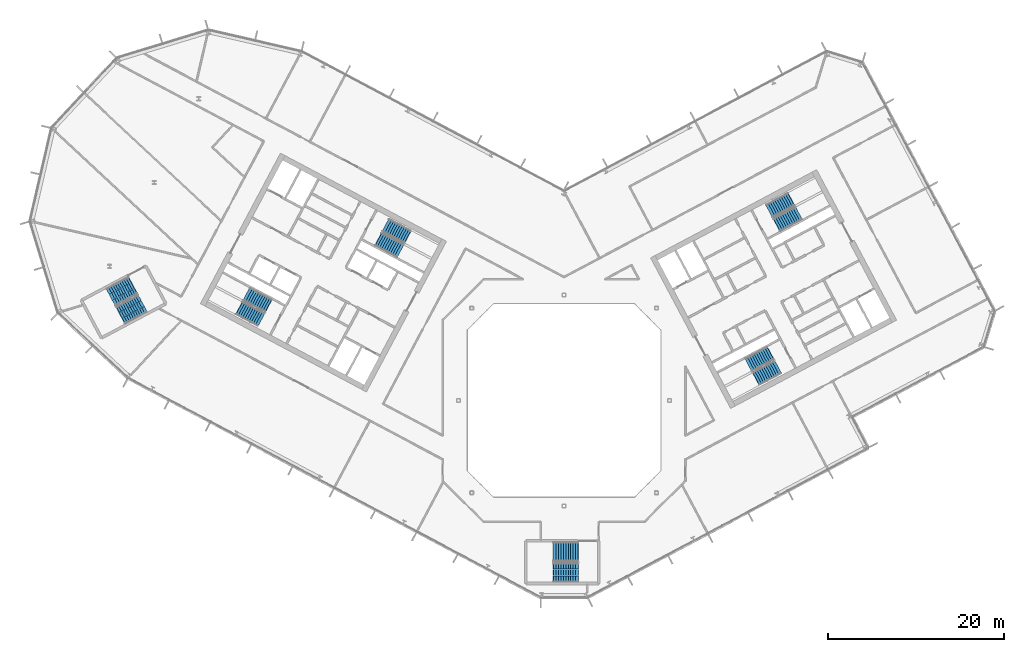
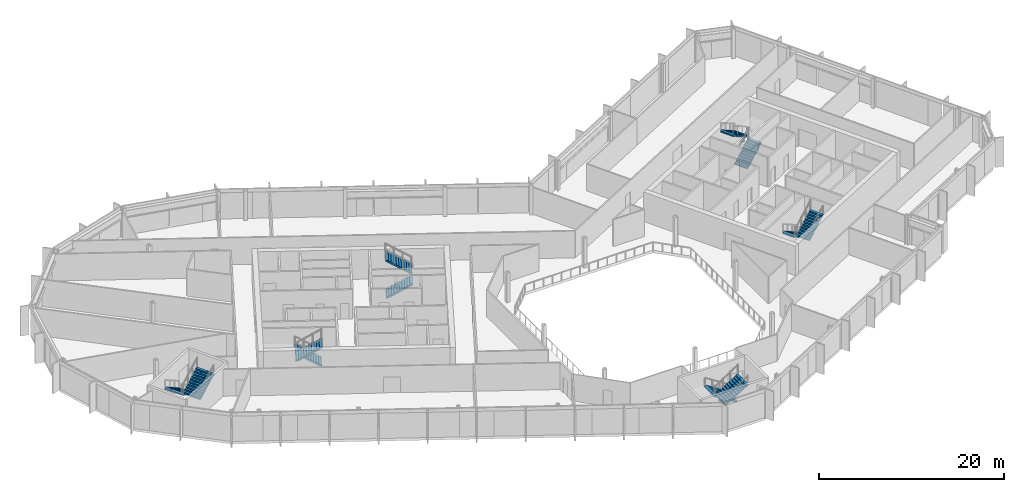
# One storey, part 17 of 26: 12 stair flights, 6 elements without a shape of their own.
"""IFC4 building model written with IfcOpenShell, lengths in metres."""

from ifc_helpers import new_model, si_unit, direction, frame, origin, place, context, subcontext, project, spatial, polyline, outline, extrude, material, type_object, element, aggregate, save


model = new_model("IFC4")

# Units and contexts
model_context = context("Model", 3, precision=1e-05, world=origin(), true_north=direction((0.0, 1.0)))
body_context = subcontext(model_context, "Body", "Model", "MODEL_VIEW")
ifc_project = project(units=[si_unit("LENGTHUNIT", "METRE"), si_unit("AREAUNIT", "SQUARE_METRE"), si_unit("VOLUMEUNIT", "CUBIC_METRE"), si_unit("PLANEANGLEUNIT", "RADIAN"), si_unit("MASSUNIT", "GRAM", prefix="KILO")], contexts=[model_context])

# Site, building, storey
site_placement = place(None, origin())
site = spatial("IfcSite", under=ifc_project, at=site_placement, CompositionType="ELEMENT")
building_placement = place(site_placement, origin())
building = spatial("IfcBuilding", under=site, at=building_placement, Name="Cormorant Relay Tower", CompositionType="ELEMENT")
storey_placement = place(building_placement, frame((0.0, 0.0, 193.5)))
storey = spatial("IfcBuildingStorey", under=building, at=storey_placement, Name="L41", CompositionType="ELEMENT", Elevation=193.5)

# Stair, stair flights
ifc_material_1 = material(Name="Concrete 40 MPa", Category="concrete")
stair_type_1 = type_object("IfcStairType", Name="Exit stair 1500", PredefinedType="HALF_TURN_STAIR", material=ifc_material_1)
stair_1_placement = place(storey_placement, origin())
stair_1 = element("IfcStair", 1, at=stair_1_placement, inside=storey, type_object=stair_type_1, Name="L41 Stair", PredefinedType="HALF_TURN_STAIR")
ifc_material_2 = material(Name="Concrete 40 MPa", Category="concrete")
stair_flight_type_1 = type_object("IfcStairFlightType", Name="Exit stair flight 1650", PredefinedType="STRAIGHT", material=ifc_material_2)
stair_flight_1_placement = place(storey_placement, frame((-21.114501953125, 18.33349609375, 0.0), z_axis=(0.0, 0.0, 1.0), x_axis=(0.882947592859, -0.469471562786, 0.0)))
stair_flight_1 = element("IfcStairFlight", 2, at=stair_flight_1_placement, type_object=stair_flight_type_1, Name="A1 flight 1", NumberOfRisers=11, NumberOfTreads=10, PredefinedType="STRAIGHT", RiserHeight=0.177272727, TreadLength=0.28, context=body_context, shape_type="SweptSolid", body=[
    extrude(outline(polyline([(-0.050048828125, -0.080078125), (-0.050048828125, 0.0), (0.0, 0.0), (0.0, 0.17724609375), (0.280029296875, 0.17724609375), (0.280029296875, 0.3544921875), (0.56005859375, 0.3544921875), (0.56005859375, 0.53173828125), (0.840087890625, 0.53173828125), (0.840087890625, 0.708984375), (1.1201171875, 0.708984375), (1.1201171875, 0.886474609375), (1.39990234375, 0.886474609375), (1.39990234375, 1.063720703125), (1.679931640625, 1.063720703125), (1.679931640625, 1.240966796875), (1.9599609375, 1.240966796875), (1.9599609375, 1.418212890625), (2.239990234375, 1.418212890625), (2.239990234375, 1.595458984375), (2.52001953125, 1.595458984375), (2.52001953125, 1.772705078125), (2.800048828125, 1.772705078125), (2.85009765625, 1.772705078125), (2.85009765625, 1.59521484375), (2.800048828125, 1.59521484375), (0.2802734375, 0.0), (-0.050048828125, -0.080078125)])), frame((0.0, 0.824951171875, 0.0), z_axis=(0.0, -1.0, 0.0), x_axis=(1.0, 0.0, 0.0)), (0.0, 0.0, 1.0), 1.64990234375),
])
stair_flight_2_placement = place(storey_placement, frame((-17.797119140625, 18.6083984375, 1.949951171875), z_axis=(0.0, 0.0, 1.0), x_axis=(-0.882947592859, 0.469471562786, 0.0)))
stair_flight_2 = element("IfcStairFlight", 3, at=stair_flight_2_placement, type_object=stair_flight_type_1, Name="A1 flight 2", NumberOfRisers=11, NumberOfTreads=10, PredefinedType="STRAIGHT", RiserHeight=0.177272727, TreadLength=0.28, context=body_context, shape_type="SweptSolid", body=[
    extrude(outline(polyline([(-0.050048828125, -0.080078125), (-0.050048828125, 0.0), (0.0, 0.0), (0.0, 0.17724609375), (0.280029296875, 0.17724609375), (0.280029296875, 0.3544921875), (0.56005859375, 0.3544921875), (0.56005859375, 0.53173828125), (0.840087890625, 0.53173828125), (0.840087890625, 0.708984375), (1.1201171875, 0.708984375), (1.1201171875, 0.886474609375), (1.39990234375, 0.886474609375), (1.39990234375, 1.063720703125), (1.679931640625, 1.063720703125), (1.679931640625, 1.240966796875), (1.9599609375, 1.240966796875), (1.9599609375, 1.418212890625), (2.239990234375, 1.418212890625), (2.239990234375, 1.595458984375), (2.52001953125, 1.595458984375), (2.52001953125, 1.772705078125), (2.800048828125, 1.772705078125), (2.85009765625, 1.772705078125), (2.85009765625, 1.59521484375), (2.800048828125, 1.59521484375), (0.2802734375, 0.0), (-0.050048828125, -0.080078125)])), frame((0.0, 0.824951171875, 0.0), z_axis=(0.0, -1.0, 0.0), x_axis=(1.0, 0.0, 0.0)), (0.0, 0.0, 1.0), 1.64990234375),
])
aggregate(stair_1, [stair_flight_1, stair_flight_2])

stair_2_placement = place(storey_placement, origin())
stair_2 = element("IfcStair", 4, at=stair_2_placement, inside=storey, type_object=stair_type_1, Name="L41 Stair", PredefinedType="HALF_TURN_STAIR")
stair_flight_3_placement = place(storey_placement, frame((-33.62841796875, 10.773681640625, 0.0), z_axis=(0.0, 0.0, 1.0), x_axis=(-0.882947592859, 0.469471562786, 0.0)))
stair_flight_3 = element("IfcStairFlight", 5, at=stair_flight_3_placement, type_object=stair_flight_type_1, Name="A2 flight 1", NumberOfRisers=11, NumberOfTreads=10, PredefinedType="STRAIGHT", RiserHeight=0.177272727, TreadLength=0.28, context=body_context, shape_type="SweptSolid", body=[
    extrude(outline(polyline([(-0.050048828125, -0.080078125), (-0.050048828125, 0.0), (0.0, 0.0), (0.0, 0.17724609375), (0.280029296875, 0.17724609375), (0.280029296875, 0.3544921875), (0.56005859375, 0.3544921875), (0.56005859375, 0.53173828125), (0.840087890625, 0.53173828125), (0.840087890625, 0.708984375), (1.1201171875, 0.708984375), (1.1201171875, 0.886474609375), (1.39990234375, 0.886474609375), (1.39990234375, 1.063720703125), (1.679931640625, 1.063720703125), (1.679931640625, 1.240966796875), (1.9599609375, 1.240966796875), (1.9599609375, 1.418212890625), (2.239990234375, 1.418212890625), (2.239990234375, 1.595458984375), (2.52001953125, 1.595458984375), (2.52001953125, 1.772705078125), (2.800048828125, 1.772705078125), (2.85009765625, 1.772705078125), (2.85009765625, 1.59521484375), (2.800048828125, 1.59521484375), (0.2802734375, 0.0), (-0.050048828125, -0.080078125)])), frame((0.0, 0.824951171875, 0.0), z_axis=(0.0, -1.0, 0.0), x_axis=(1.0, 0.0, 0.0)), (0.0, 0.0, 1.0), 1.64990234375),
])
stair_flight_4_placement = place(storey_placement, frame((-36.945556640625, 10.498779296875, 1.949951171875), z_axis=(0.0, 0.0, 1.0), x_axis=(0.882947592859, -0.469471562786, 0.0)))
stair_flight_4 = element("IfcStairFlight", 6, at=stair_flight_4_placement, type_object=stair_flight_type_1, Name="A2 flight 2", NumberOfRisers=11, NumberOfTreads=10, PredefinedType="STRAIGHT", RiserHeight=0.177272727, TreadLength=0.28, context=body_context, shape_type="SweptSolid", body=[
    extrude(outline(polyline([(-0.050048828125, -0.080078125), (-0.050048828125, 0.0), (0.0, 0.0), (0.0, 0.17724609375), (0.280029296875, 0.17724609375), (0.280029296875, 0.3544921875), (0.56005859375, 0.3544921875), (0.56005859375, 0.53173828125), (0.840087890625, 0.53173828125), (0.840087890625, 0.708984375), (1.1201171875, 0.708984375), (1.1201171875, 0.886474609375), (1.39990234375, 0.886474609375), (1.39990234375, 1.063720703125), (1.679931640625, 1.063720703125), (1.679931640625, 1.240966796875), (1.9599609375, 1.240966796875), (1.9599609375, 1.418212890625), (2.239990234375, 1.418212890625), (2.239990234375, 1.595458984375), (2.52001953125, 1.595458984375), (2.52001953125, 1.772705078125), (2.800048828125, 1.772705078125), (2.85009765625, 1.772705078125), (2.85009765625, 1.59521484375), (2.800048828125, 1.59521484375), (0.2802734375, 0.0), (-0.050048828125, -0.080078125)])), frame((0.0, 0.824951171875, 0.0), z_axis=(0.0, -1.0, 0.0), x_axis=(1.0, 0.0, 0.0)), (0.0, 0.0, 1.0), 1.64990234375),
])
aggregate(stair_2, [stair_flight_3, stair_flight_4])

stair_3_placement = place(storey_placement, origin())
stair_3 = element("IfcStair", 7, at=stair_3_placement, inside=storey, type_object=stair_type_1, Name="L41 Stair", PredefinedType="HALF_TURN_STAIR")
stair_flight_5_placement = place(storey_placement, frame((23.474365234375, 5.374755859375, 0.0), z_axis=(0.0, 0.0, 1.0), x_axis=(-0.882947592859, -0.469471562786, 0.0)))
stair_flight_5 = element("IfcStairFlight", 8, at=stair_flight_5_placement, type_object=stair_flight_type_1, Name="B1 flight 1", NumberOfRisers=11, NumberOfTreads=10, PredefinedType="STRAIGHT", RiserHeight=0.177272727, TreadLength=0.28, context=body_context, shape_type="SweptSolid", body=[
    extrude(outline(polyline([(-0.050048828125, -0.080078125), (-0.050048828125, 0.0), (0.0, 0.0), (0.0, 0.17724609375), (0.280029296875, 0.17724609375), (0.280029296875, 0.3544921875), (0.56005859375, 0.3544921875), (0.56005859375, 0.53173828125), (0.840087890625, 0.53173828125), (0.840087890625, 0.708984375), (1.1201171875, 0.708984375), (1.1201171875, 0.886474609375), (1.39990234375, 0.886474609375), (1.39990234375, 1.063720703125), (1.679931640625, 1.063720703125), (1.679931640625, 1.240966796875), (1.9599609375, 1.240966796875), (1.9599609375, 1.418212890625), (2.239990234375, 1.418212890625), (2.239990234375, 1.595458984375), (2.52001953125, 1.595458984375), (2.52001953125, 1.772705078125), (2.800048828125, 1.772705078125), (2.85009765625, 1.772705078125), (2.85009765625, 1.59521484375), (2.800048828125, 1.59521484375), (0.2802734375, 0.0), (-0.050048828125, -0.080078125)])), frame((0.0, 0.824951171875, 0.0), z_axis=(0.0, -1.0, 0.0), x_axis=(1.0, 0.0, 0.0)), (0.0, 0.0, 1.0), 1.64990234375),
])
stair_flight_6_placement = place(storey_placement, frame((21.84716796875, 2.470947265625, 1.949951171875), z_axis=(0.0, 0.0, 1.0), x_axis=(0.882947592859, 0.469471562786, 0.0)))
stair_flight_6 = element("IfcStairFlight", 9, at=stair_flight_6_placement, type_object=stair_flight_type_1, Name="B1 flight 2", NumberOfRisers=11, NumberOfTreads=10, PredefinedType="STRAIGHT", RiserHeight=0.177272727, TreadLength=0.28, context=body_context, shape_type="SweptSolid", body=[
    extrude(outline(polyline([(-0.050048828125, -0.080078125), (-0.050048828125, 0.0), (0.0, 0.0), (0.0, 0.17724609375), (0.280029296875, 0.17724609375), (0.280029296875, 0.3544921875), (0.56005859375, 0.3544921875), (0.56005859375, 0.53173828125), (0.840087890625, 0.53173828125), (0.840087890625, 0.708984375), (1.1201171875, 0.708984375), (1.1201171875, 0.886474609375), (1.39990234375, 0.886474609375), (1.39990234375, 1.063720703125), (1.679931640625, 1.063720703125), (1.679931640625, 1.240966796875), (1.9599609375, 1.240966796875), (1.9599609375, 1.418212890625), (2.239990234375, 1.418212890625), (2.239990234375, 1.595458984375), (2.52001953125, 1.595458984375), (2.52001953125, 1.772705078125), (2.800048828125, 1.772705078125), (2.85009765625, 1.772705078125), (2.85009765625, 1.59521484375), (2.800048828125, 1.59521484375), (0.2802734375, 0.0), (-0.050048828125, -0.080078125)])), frame((0.0, 0.824951171875, 0.0), z_axis=(0.0, -1.0, 0.0), x_axis=(1.0, 0.0, 0.0)), (0.0, 0.0, 1.0), 1.64990234375),
])
aggregate(stair_3, [stair_flight_5, stair_flight_6])

stair_4_placement = place(storey_placement, origin())
stair_4 = element("IfcStair", 10, at=stair_4_placement, inside=storey, type_object=stair_type_1, Name="L41 Stair", PredefinedType="HALF_TURN_STAIR")
stair_flight_7_placement = place(storey_placement, frame((24.20458984375, 19.976806640625, 0.0), z_axis=(0.0, 0.0, 1.0), x_axis=(0.882947592859, 0.469471562786, 0.0)))
stair_flight_7 = element("IfcStairFlight", 11, at=stair_flight_7_placement, type_object=stair_flight_type_1, Name="B2 flight 1", NumberOfRisers=11, NumberOfTreads=10, PredefinedType="STRAIGHT", RiserHeight=0.177272727, TreadLength=0.28, context=body_context, shape_type="SweptSolid", body=[
    extrude(outline(polyline([(-0.050048828125, -0.080078125), (-0.050048828125, 0.0), (0.0, 0.0), (0.0, 0.17724609375), (0.280029296875, 0.17724609375), (0.280029296875, 0.3544921875), (0.56005859375, 0.3544921875), (0.56005859375, 0.53173828125), (0.840087890625, 0.53173828125), (0.840087890625, 0.708984375), (1.1201171875, 0.708984375), (1.1201171875, 0.886474609375), (1.39990234375, 0.886474609375), (1.39990234375, 1.063720703125), (1.679931640625, 1.063720703125), (1.679931640625, 1.240966796875), (1.9599609375, 1.240966796875), (1.9599609375, 1.418212890625), (2.239990234375, 1.418212890625), (2.239990234375, 1.595458984375), (2.52001953125, 1.595458984375), (2.52001953125, 1.772705078125), (2.800048828125, 1.772705078125), (2.85009765625, 1.772705078125), (2.85009765625, 1.59521484375), (2.800048828125, 1.59521484375), (0.2802734375, 0.0), (-0.050048828125, -0.080078125)])), frame((0.0, 0.824951171875, 0.0), z_axis=(0.0, -1.0, 0.0), x_axis=(1.0, 0.0, 0.0)), (0.0, 0.0, 1.0), 1.64990234375),
])
stair_flight_8_placement = place(storey_placement, frame((25.831787109375, 22.880615234375, 1.949951171875), z_axis=(0.0, 0.0, 1.0), x_axis=(-0.882947592859, -0.469471562786, 0.0)))
stair_flight_8 = element("IfcStairFlight", 12, at=stair_flight_8_placement, type_object=stair_flight_type_1, Name="B2 flight 2", NumberOfRisers=11, NumberOfTreads=10, PredefinedType="STRAIGHT", RiserHeight=0.177272727, TreadLength=0.28, context=body_context, shape_type="SweptSolid", body=[
    extrude(outline(polyline([(-0.050048828125, -0.080078125), (-0.050048828125, 0.0), (0.0, 0.0), (0.0, 0.17724609375), (0.280029296875, 0.17724609375), (0.280029296875, 0.3544921875), (0.56005859375, 0.3544921875), (0.56005859375, 0.53173828125), (0.840087890625, 0.53173828125), (0.840087890625, 0.708984375), (1.1201171875, 0.708984375), (1.1201171875, 0.886474609375), (1.39990234375, 0.886474609375), (1.39990234375, 1.063720703125), (1.679931640625, 1.063720703125), (1.679931640625, 1.240966796875), (1.9599609375, 1.240966796875), (1.9599609375, 1.418212890625), (2.239990234375, 1.418212890625), (2.239990234375, 1.595458984375), (2.52001953125, 1.595458984375), (2.52001953125, 1.772705078125), (2.800048828125, 1.772705078125), (2.85009765625, 1.772705078125), (2.85009765625, 1.59521484375), (2.800048828125, 1.59521484375), (0.2802734375, 0.0), (-0.050048828125, -0.080078125)])), frame((0.0, 0.824951171875, 0.0), z_axis=(0.0, -1.0, 0.0), x_axis=(1.0, 0.0, 0.0)), (0.0, 0.0, 1.0), 1.64990234375),
])
aggregate(stair_4, [stair_flight_7, stair_flight_8])

ifc_material_3 = material(Name="Concrete 40 MPa", Category="concrete")
stair_type_2 = type_object("IfcStairType", Name="Remote exit stair 2200", PredefinedType="HALF_TURN_STAIR", material=ifc_material_3)
stair_5_placement = place(storey_placement, origin())
stair_5 = element("IfcStair", 13, at=stair_5_placement, inside=storey, type_object=stair_type_2, Name="L41 Stair", PredefinedType="HALF_TURN_STAIR")
ifc_material_4 = material(Name="Concrete 40 MPa", Category="concrete")
stair_flight_type_2 = type_object("IfcStairFlightType", Name="Remote exit stair flight 2200", PredefinedType="STRAIGHT", material=ifc_material_4)
stair_flight_9_placement = place(storey_placement, frame((1.60009765625, -17.22509765625, 0.0), z_axis=(0.0, 0.0, 1.0), x_axis=(-1.0, 0.0, 0.0)))
stair_flight_9 = element("IfcStairFlight", 14, at=stair_flight_9_placement, type_object=stair_flight_type_2, Name="RK1 flight 1", NumberOfRisers=11, NumberOfTreads=10, PredefinedType="STRAIGHT", RiserHeight=0.177272727, TreadLength=0.28, context=body_context, shape_type="SweptSolid", body=[
    extrude(outline(polyline([(-0.050048828125, -0.080078125), (-0.050048828125, 0.0), (0.0, 0.0), (0.0, 0.17724609375), (0.280029296875, 0.17724609375), (0.280029296875, 0.3544921875), (0.56005859375, 0.3544921875), (0.56005859375, 0.53173828125), (0.840087890625, 0.53173828125), (0.840087890625, 0.708984375), (1.1201171875, 0.708984375), (1.1201171875, 0.886474609375), (1.39990234375, 0.886474609375), (1.39990234375, 1.063720703125), (1.679931640625, 1.063720703125), (1.679931640625, 1.240966796875), (1.9599609375, 1.240966796875), (1.9599609375, 1.418212890625), (2.239990234375, 1.418212890625), (2.239990234375, 1.595458984375), (2.52001953125, 1.595458984375), (2.52001953125, 1.772705078125), (2.800048828125, 1.772705078125), (2.85009765625, 1.772705078125), (2.85009765625, 1.59521484375), (2.800048828125, 1.59521484375), (0.2802734375, 0.0), (-0.050048828125, -0.080078125)])), frame((0.0, 1.10009765625, 0.0), z_axis=(0.0, -1.0, 0.0), x_axis=(1.0, 0.0, 0.0)), (0.0, 0.0, 1.0), 0.719970703125),
    extrude(outline(polyline([(-0.050048828125, -0.080078125), (-0.050048828125, 0.0), (0.0, 0.0), (0.0, 0.17724609375), (0.280029296875, 0.17724609375), (0.280029296875, 0.3544921875), (0.56005859375, 0.3544921875), (0.56005859375, 0.53173828125), (0.840087890625, 0.53173828125), (0.840087890625, 0.708984375), (1.1201171875, 0.708984375), (1.1201171875, 0.886474609375), (1.39990234375, 0.886474609375), (1.39990234375, 1.063720703125), (1.679931640625, 1.063720703125), (1.679931640625, 1.240966796875), (1.9599609375, 1.240966796875), (1.9599609375, 1.418212890625), (2.239990234375, 1.418212890625), (2.239990234375, 1.595458984375), (2.52001953125, 1.595458984375), (2.52001953125, 1.772705078125), (2.800048828125, 1.772705078125), (2.85009765625, 1.772705078125), (2.85009765625, 1.59521484375), (2.800048828125, 1.59521484375), (0.2802734375, 0.0), (-0.050048828125, -0.080078125)])), frame((0.0, 0.360107421875, 0.0), z_axis=(0.0, -1.0, 0.0), x_axis=(1.0, 0.0, 0.0)), (0.0, 0.0, 1.0), 0.719970703125),
    extrude(outline(polyline([(-0.050048828125, -0.080078125), (-0.050048828125, 0.0), (0.0, 0.0), (0.0, 0.17724609375), (0.280029296875, 0.17724609375), (0.280029296875, 0.3544921875), (0.56005859375, 0.3544921875), (0.56005859375, 0.53173828125), (0.840087890625, 0.53173828125), (0.840087890625, 0.708984375), (1.1201171875, 0.708984375), (1.1201171875, 0.886474609375), (1.39990234375, 0.886474609375), (1.39990234375, 1.063720703125), (1.679931640625, 1.063720703125), (1.679931640625, 1.240966796875), (1.9599609375, 1.240966796875), (1.9599609375, 1.418212890625), (2.239990234375, 1.418212890625), (2.239990234375, 1.595458984375), (2.52001953125, 1.595458984375), (2.52001953125, 1.772705078125), (2.800048828125, 1.772705078125), (2.85009765625, 1.772705078125), (2.85009765625, 1.59521484375), (2.800048828125, 1.59521484375), (0.2802734375, 0.0), (-0.050048828125, -0.080078125)])), frame((0.0, -0.3798828125, 0.0), z_axis=(0.0, -1.0, 0.0), x_axis=(1.0, 0.0, 0.0)), (0.0, 0.0, 1.0), 0.719970703125),
])
stair_flight_10_placement = place(storey_placement, frame((-1.199951171875, -19.574951171875, 1.949951171875), z_axis=(0.0, 0.0, 1.0), x_axis=(1.0, 0.0, 0.0)))
stair_flight_10 = element("IfcStairFlight", 15, at=stair_flight_10_placement, type_object=stair_flight_type_2, Name="RK1 flight 2", NumberOfRisers=11, NumberOfTreads=10, PredefinedType="STRAIGHT", RiserHeight=0.177272727, TreadLength=0.28, context=body_context, shape_type="SweptSolid", body=[
    extrude(outline(polyline([(-0.050048828125, -0.080078125), (-0.050048828125, 0.0), (0.0, 0.0), (0.0, 0.17724609375), (0.280029296875, 0.17724609375), (0.280029296875, 0.3544921875), (0.56005859375, 0.3544921875), (0.56005859375, 0.53173828125), (0.840087890625, 0.53173828125), (0.840087890625, 0.708984375), (1.1201171875, 0.708984375), (1.1201171875, 0.886474609375), (1.39990234375, 0.886474609375), (1.39990234375, 1.063720703125), (1.679931640625, 1.063720703125), (1.679931640625, 1.240966796875), (1.9599609375, 1.240966796875), (1.9599609375, 1.418212890625), (2.239990234375, 1.418212890625), (2.239990234375, 1.595458984375), (2.52001953125, 1.595458984375), (2.52001953125, 1.772705078125), (2.800048828125, 1.772705078125), (2.85009765625, 1.772705078125), (2.85009765625, 1.59521484375), (2.800048828125, 1.59521484375), (0.2802734375, 0.0), (-0.050048828125, -0.080078125)])), frame((0.0, 1.10009765625, 0.0), z_axis=(0.0, -1.0, 0.0), x_axis=(1.0, 0.0, 0.0)), (0.0, 0.0, 1.0), 0.719970703125),
    extrude(outline(polyline([(-0.050048828125, -0.080078125), (-0.050048828125, 0.0), (0.0, 0.0), (0.0, 0.17724609375), (0.280029296875, 0.17724609375), (0.280029296875, 0.3544921875), (0.56005859375, 0.3544921875), (0.56005859375, 0.53173828125), (0.840087890625, 0.53173828125), (0.840087890625, 0.708984375), (1.1201171875, 0.708984375), (1.1201171875, 0.886474609375), (1.39990234375, 0.886474609375), (1.39990234375, 1.063720703125), (1.679931640625, 1.063720703125), (1.679931640625, 1.240966796875), (1.9599609375, 1.240966796875), (1.9599609375, 1.418212890625), (2.239990234375, 1.418212890625), (2.239990234375, 1.595458984375), (2.52001953125, 1.595458984375), (2.52001953125, 1.772705078125), (2.800048828125, 1.772705078125), (2.85009765625, 1.772705078125), (2.85009765625, 1.59521484375), (2.800048828125, 1.59521484375), (0.2802734375, 0.0), (-0.050048828125, -0.080078125)])), frame((0.0, 0.360107421875, 0.0), z_axis=(0.0, -1.0, 0.0), x_axis=(1.0, 0.0, 0.0)), (0.0, 0.0, 1.0), 0.719970703125),
    extrude(outline(polyline([(-0.050048828125, -0.080078125), (-0.050048828125, 0.0), (0.0, 0.0), (0.0, 0.17724609375), (0.280029296875, 0.17724609375), (0.280029296875, 0.3544921875), (0.56005859375, 0.3544921875), (0.56005859375, 0.53173828125), (0.840087890625, 0.53173828125), (0.840087890625, 0.708984375), (1.1201171875, 0.708984375), (1.1201171875, 0.886474609375), (1.39990234375, 0.886474609375), (1.39990234375, 1.063720703125), (1.679931640625, 1.063720703125), (1.679931640625, 1.240966796875), (1.9599609375, 1.240966796875), (1.9599609375, 1.418212890625), (2.239990234375, 1.418212890625), (2.239990234375, 1.595458984375), (2.52001953125, 1.595458984375), (2.52001953125, 1.772705078125), (2.800048828125, 1.772705078125), (2.85009765625, 1.772705078125), (2.85009765625, 1.59521484375), (2.800048828125, 1.59521484375), (0.2802734375, 0.0), (-0.050048828125, -0.080078125)])), frame((0.0, -0.3798828125, 0.0), z_axis=(0.0, -1.0, 0.0), x_axis=(1.0, 0.0, 0.0)), (0.0, 0.0, 1.0), 0.719970703125),
])
aggregate(stair_5, [stair_flight_9, stair_flight_10])

stair_6_placement = place(storey_placement, origin())
stair_6 = element("IfcStair", 16, at=stair_6_placement, inside=storey, type_object=stair_type_2, Name="L41 Stair", PredefinedType="HALF_TURN_STAIR")
stair_flight_11_placement = place(storey_placement, frame((-49.062255859375, 13.08251953125, 0.0), z_axis=(0.0, 0.0, 1.0), x_axis=(-0.882947502727, -0.4694717323, 0.0)))
stair_flight_11 = element("IfcStairFlight", 17, at=stair_flight_11_placement, type_object=stair_flight_type_2, Name="RP1 flight 1", NumberOfRisers=11, NumberOfTreads=10, PredefinedType="STRAIGHT", RiserHeight=0.177272727, TreadLength=0.28, context=body_context, shape_type="SweptSolid", body=[
    extrude(outline(polyline([(-0.050048828125, -0.080078125), (-0.050048828125, 0.0), (0.0, 0.0), (0.0, 0.17724609375), (0.280029296875, 0.17724609375), (0.280029296875, 0.3544921875), (0.56005859375, 0.3544921875), (0.56005859375, 0.53173828125), (0.840087890625, 0.53173828125), (0.840087890625, 0.708984375), (1.1201171875, 0.708984375), (1.1201171875, 0.886474609375), (1.39990234375, 0.886474609375), (1.39990234375, 1.063720703125), (1.679931640625, 1.063720703125), (1.679931640625, 1.240966796875), (1.9599609375, 1.240966796875), (1.9599609375, 1.418212890625), (2.239990234375, 1.418212890625), (2.239990234375, 1.595458984375), (2.52001953125, 1.595458984375), (2.52001953125, 1.772705078125), (2.800048828125, 1.772705078125), (2.85009765625, 1.772705078125), (2.85009765625, 1.59521484375), (2.800048828125, 1.59521484375), (0.2802734375, 0.0), (-0.050048828125, -0.080078125)])), frame((0.0, 1.10009765625, 0.0), z_axis=(0.0, -1.0, 0.0), x_axis=(1.0, 0.0, 0.0)), (0.0, 0.0, 1.0), 0.719970703125),
    extrude(outline(polyline([(-0.050048828125, -0.080078125), (-0.050048828125, 0.0), (0.0, 0.0), (0.0, 0.17724609375), (0.280029296875, 0.17724609375), (0.280029296875, 0.3544921875), (0.56005859375, 0.3544921875), (0.56005859375, 0.53173828125), (0.840087890625, 0.53173828125), (0.840087890625, 0.708984375), (1.1201171875, 0.708984375), (1.1201171875, 0.886474609375), (1.39990234375, 0.886474609375), (1.39990234375, 1.063720703125), (1.679931640625, 1.063720703125), (1.679931640625, 1.240966796875), (1.9599609375, 1.240966796875), (1.9599609375, 1.418212890625), (2.239990234375, 1.418212890625), (2.239990234375, 1.595458984375), (2.52001953125, 1.595458984375), (2.52001953125, 1.772705078125), (2.800048828125, 1.772705078125), (2.85009765625, 1.772705078125), (2.85009765625, 1.59521484375), (2.800048828125, 1.59521484375), (0.2802734375, 0.0), (-0.050048828125, -0.080078125)])), frame((0.0, 0.360107421875, 0.0), z_axis=(0.0, -1.0, 0.0), x_axis=(1.0, 0.0, 0.0)), (0.0, 0.0, 1.0), 0.719970703125),
    extrude(outline(polyline([(-0.050048828125, -0.080078125), (-0.050048828125, 0.0), (0.0, 0.0), (0.0, 0.17724609375), (0.280029296875, 0.17724609375), (0.280029296875, 0.3544921875), (0.56005859375, 0.3544921875), (0.56005859375, 0.53173828125), (0.840087890625, 0.53173828125), (0.840087890625, 0.708984375), (1.1201171875, 0.708984375), (1.1201171875, 0.886474609375), (1.39990234375, 0.886474609375), (1.39990234375, 1.063720703125), (1.679931640625, 1.063720703125), (1.679931640625, 1.240966796875), (1.9599609375, 1.240966796875), (1.9599609375, 1.418212890625), (2.239990234375, 1.418212890625), (2.239990234375, 1.595458984375), (2.52001953125, 1.595458984375), (2.52001953125, 1.772705078125), (2.800048828125, 1.772705078125), (2.85009765625, 1.772705078125), (2.85009765625, 1.59521484375), (2.800048828125, 1.59521484375), (0.2802734375, 0.0), (-0.050048828125, -0.080078125)])), frame((0.0, -0.3798828125, 0.0), z_axis=(0.0, -1.0, 0.0), x_axis=(1.0, 0.0, 0.0)), (0.0, 0.0, 1.0), 0.719970703125),
])
stair_flight_12_placement = place(storey_placement, frame((-50.431396484375, 9.693115234375, 1.949951171875), z_axis=(0.0, 0.0, 1.0), x_axis=(0.882947502727, 0.4694717323, 0.0)))
stair_flight_12 = element("IfcStairFlight", 18, at=stair_flight_12_placement, type_object=stair_flight_type_2, Name="RP1 flight 2", NumberOfRisers=11, NumberOfTreads=10, PredefinedType="STRAIGHT", RiserHeight=0.177272727, TreadLength=0.28, context=body_context, shape_type="SweptSolid", body=[
    extrude(outline(polyline([(-0.050048828125, -0.080078125), (-0.050048828125, 0.0), (0.0, 0.0), (0.0, 0.17724609375), (0.280029296875, 0.17724609375), (0.280029296875, 0.3544921875), (0.56005859375, 0.3544921875), (0.56005859375, 0.53173828125), (0.840087890625, 0.53173828125), (0.840087890625, 0.708984375), (1.1201171875, 0.708984375), (1.1201171875, 0.886474609375), (1.39990234375, 0.886474609375), (1.39990234375, 1.063720703125), (1.679931640625, 1.063720703125), (1.679931640625, 1.240966796875), (1.9599609375, 1.240966796875), (1.9599609375, 1.418212890625), (2.239990234375, 1.418212890625), (2.239990234375, 1.595458984375), (2.52001953125, 1.595458984375), (2.52001953125, 1.772705078125), (2.800048828125, 1.772705078125), (2.85009765625, 1.772705078125), (2.85009765625, 1.59521484375), (2.800048828125, 1.59521484375), (0.2802734375, 0.0), (-0.050048828125, -0.080078125)])), frame((0.0, 1.10009765625, 0.0), z_axis=(0.0, -1.0, 0.0), x_axis=(1.0, 0.0, 0.0)), (0.0, 0.0, 1.0), 0.719970703125),
    extrude(outline(polyline([(-0.050048828125, -0.080078125), (-0.050048828125, 0.0), (0.0, 0.0), (0.0, 0.17724609375), (0.280029296875, 0.17724609375), (0.280029296875, 0.3544921875), (0.56005859375, 0.3544921875), (0.56005859375, 0.53173828125), (0.840087890625, 0.53173828125), (0.840087890625, 0.708984375), (1.1201171875, 0.708984375), (1.1201171875, 0.886474609375), (1.39990234375, 0.886474609375), (1.39990234375, 1.063720703125), (1.679931640625, 1.063720703125), (1.679931640625, 1.240966796875), (1.9599609375, 1.240966796875), (1.9599609375, 1.418212890625), (2.239990234375, 1.418212890625), (2.239990234375, 1.595458984375), (2.52001953125, 1.595458984375), (2.52001953125, 1.772705078125), (2.800048828125, 1.772705078125), (2.85009765625, 1.772705078125), (2.85009765625, 1.59521484375), (2.800048828125, 1.59521484375), (0.2802734375, 0.0), (-0.050048828125, -0.080078125)])), frame((0.0, 0.360107421875, 0.0), z_axis=(0.0, -1.0, 0.0), x_axis=(1.0, 0.0, 0.0)), (0.0, 0.0, 1.0), 0.719970703125),
    extrude(outline(polyline([(-0.050048828125, -0.080078125), (-0.050048828125, 0.0), (0.0, 0.0), (0.0, 0.17724609375), (0.280029296875, 0.17724609375), (0.280029296875, 0.3544921875), (0.56005859375, 0.3544921875), (0.56005859375, 0.53173828125), (0.840087890625, 0.53173828125), (0.840087890625, 0.708984375), (1.1201171875, 0.708984375), (1.1201171875, 0.886474609375), (1.39990234375, 0.886474609375), (1.39990234375, 1.063720703125), (1.679931640625, 1.063720703125), (1.679931640625, 1.240966796875), (1.9599609375, 1.240966796875), (1.9599609375, 1.418212890625), (2.239990234375, 1.418212890625), (2.239990234375, 1.595458984375), (2.52001953125, 1.595458984375), (2.52001953125, 1.772705078125), (2.800048828125, 1.772705078125), (2.85009765625, 1.772705078125), (2.85009765625, 1.59521484375), (2.800048828125, 1.59521484375), (0.2802734375, 0.0), (-0.050048828125, -0.080078125)])), frame((0.0, -0.3798828125, 0.0), z_axis=(0.0, -1.0, 0.0), x_axis=(1.0, 0.0, 0.0)), (0.0, 0.0, 1.0), 0.719970703125),
])
aggregate(stair_6, [stair_flight_11, stair_flight_12])

save(model, "model.ifc")
